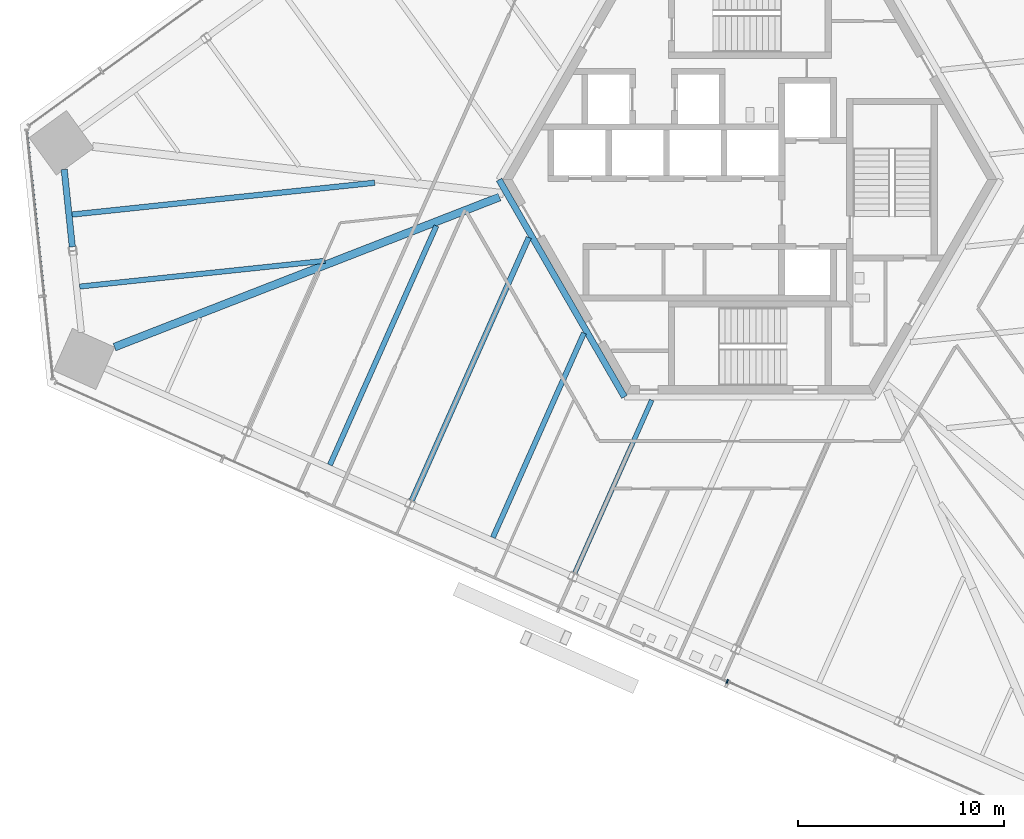
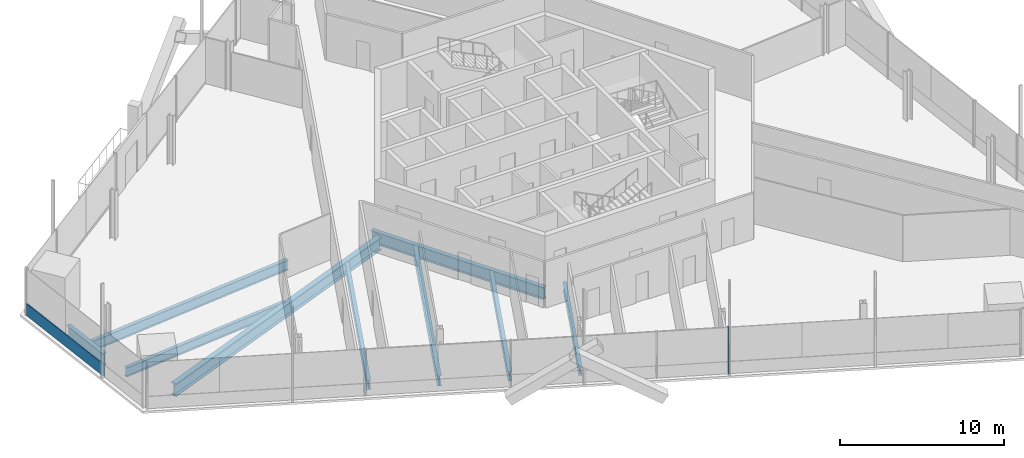
# One storey, part 4 of 21: 9 beams, 2 members, 2 elements without a shape of their own.
"""IFC4 building model written with IfcOpenShell, lengths in metres."""

from ifc_helpers import new_model, si_unit, direction, frame, origin, origin_2d, place, context, subcontext, project, spatial, rectangle, i_section, extrude, source, transform, mapped, material, material_profile, profile_set, type_object, element, aggregate, save


model = new_model("IFC4")

# Units and contexts
model_context = context("Model", 3, precision=1e-05, world=origin(), true_north=direction((0.0, 1.0)))
body_context = subcontext(model_context, "Body", "Model", "MODEL_VIEW")
ifc_project = project(units=[si_unit("LENGTHUNIT", "METRE"), si_unit("AREAUNIT", "SQUARE_METRE"), si_unit("VOLUMEUNIT", "CUBIC_METRE"), si_unit("PLANEANGLEUNIT", "RADIAN"), si_unit("MASSUNIT", "GRAM", prefix="KILO")], contexts=[model_context])

# Site, building, storey
site_placement = place(None, origin())
site = spatial("IfcSite", under=ifc_project, at=site_placement, CompositionType="ELEMENT")
building_placement = place(site_placement, origin())
building = spatial("IfcBuilding", under=site, at=building_placement, Name="Triune Harvest Tower", CompositionType="ELEMENT")
storey_placement = place(building_placement, frame((0.0, 0.0, 72.89990234375)))
storey = spatial("IfcBuildingStorey", under=building, at=storey_placement, Name="L17", CompositionType="ELEMENT", Elevation=72.89990234375)

# Beams
ifc_material_1 = material(Name="Steel ASTM A992 Gr 50", Category="steel")
ifc_material_profile_1 = material_profile(ifc_material_1, i_section(OverallWidth=0.3046875, OverallDepth=0.914306640625, WebThickness=0.0166015625, FlangeThickness=0.02587890625, at=origin_2d()), Name="W36x160")
ifc_profile_set_1 = profile_set([ifc_material_profile_1], Name="Steel ASTM A992 Gr 50")
beam_type_1 = type_object("IfcBeamType", Name="CG-1 Core ring girder W36x160", PredefinedType="BEAM", material=ifc_profile_set_1)
shared_shape_1 = source(origin(), body_context, "Body", "SweptSolid", [
    extrude(i_section(OverallWidth=0.3046875, OverallDepth=0.914306640625, WebThickness=0.0166015625, FlangeThickness=0.02587890625, at=origin_2d()), origin(), (0.0, 0.0, 1.0), 12.176025390625),
])
beam_1_placement = place(storey_placement, frame((-12.176025390625, 0.0, -0.6171875), z_axis=(0.5000099932, -0.866019634131, 0.0), x_axis=(0.866019634131, 0.5000099932, 0.0)))
element("IfcBeam", 1, at=beam_1_placement, inside=storey, type_object=beam_type_1, Name="beam/L17/CG4", PredefinedType="BEAM", context=body_context, shape_type="MappedRepresentation", body=[
    mapped(shared_shape_1, transform((0.0, 0.0, 0.0), scale=1.0)),
])
ifc_material_2 = material(Name="Steel ASTM A992 Gr 50", Category="steel")
ifc_material_profile_2 = material_profile(ifc_material_2, i_section(OverallWidth=0.3046875, OverallDepth=0.914306640625, WebThickness=0.0166015625, FlangeThickness=0.02587890625, at=origin_2d()), Name="W36x160")
ifc_profile_set_2 = profile_set([ifc_material_profile_2], Name="Steel ASTM A992 Gr 50")
beam_type_2 = type_object("IfcBeamType", Name="SB-1 Spandrel beam W36x160", PredefinedType="SPANDREL", material=ifc_profile_set_2)
shared_shape_2 = source(origin(), body_context, "Body", "SweptSolid", [
    extrude(i_section(OverallWidth=0.3046875, OverallDepth=0.914306640625, WebThickness=0.0166015625, FlangeThickness=0.02587890625, at=origin_2d()), origin(), (0.0, 0.0, 1.0), 3.775146484375),
])
beam_2_placement = place(storey_placement, frame((-33.28564453125, 0.497802734375, -0.6171875), z_axis=(0.104509725916, -0.994523864565, 0.0), x_axis=(0.994523864565, 0.104509725916, 0.0)))
element("IfcBeam", 2, at=beam_2_placement, inside=storey, type_object=beam_type_2, Name="beam/L17/SB15", PredefinedType="SPANDREL", context=body_context, shape_type="MappedRepresentation", body=[
    mapped(shared_shape_2, transform((0.0, 0.0, 0.0), scale=1.0)),
])
ifc_material_3 = material(Name="Steel ASTM A992 Gr 50", Category="steel")
ifc_material_profile_3 = material_profile(ifc_material_3, i_section(OverallWidth=0.383544921875, OverallDepth=0.9423828125, WebThickness=0.022216796875, FlangeThickness=0.039794921875, at=origin_2d()), Name="W36x232")
ifc_profile_set_3 = profile_set([ifc_material_profile_3], Name="Steel ASTM A992 Gr 50")
beam_type_3 = type_object("IfcBeamType", Name="HG-1 Hip girder W36x232", PredefinedType="BEAM", material=ifc_profile_set_3)
shared_shape_3 = source(origin(), body_context, "Body", "SweptSolid", [
    extrude(i_section(OverallWidth=0.383544921875, OverallDepth=0.9423828125, WebThickness=0.022216796875, FlangeThickness=0.039794921875, at=origin_2d()), origin(), (0.0, 0.0, 1.0), 20.054443359375),
])
beam_3_placement = place(storey_placement, frame((-30.84423828125, -8.12451171875, -0.631103515625), z_axis=(0.931737115777, 0.363133511374, 0.0), x_axis=(-0.363133511374, 0.931737115777, 0.0)))
element("IfcBeam", 3, at=beam_3_placement, inside=storey, type_object=beam_type_3, Name="beam/L17/HG6", PredefinedType="BEAM", context=body_context, shape_type="MappedRepresentation", body=[
    mapped(shared_shape_3, transform((0.0, 0.0, 0.0), scale=1.0)),
])
ifc_material_4 = material(Name="Steel ASTM A992 Gr 50", Category="steel")
ifc_material_profile_4 = material_profile(ifc_material_4, i_section(OverallWidth=0.253662109375, OverallDepth=0.683349609375, WebThickness=0.012451171875, FlangeThickness=0.01904296875, at=origin_2d()), Name="W27x94")
ifc_profile_set_4 = profile_set([ifc_material_profile_4], Name="Steel ASTM A992 Gr 50")
beam_type_4 = type_object("IfcBeamType", Name="JT-4 Floor joist W27x94", PredefinedType="JOIST", material=ifc_profile_set_4)
shared_shape_4 = source(origin(), body_context, "Body", "SweptSolid", [
    extrude(i_section(OverallWidth=0.253662109375, OverallDepth=0.683349609375, WebThickness=0.012451171875, FlangeThickness=0.01904296875, at=origin_2d()), origin(), (0.0, 0.0, 1.0), 10.864501953125),
])
beam_4_placement = place(storey_placement, frame((-12.473876953125, -17.3681640625, -0.50146484375), z_axis=(0.406757614722, 0.913536120176, 0.0), x_axis=(-0.913536120176, 0.406757614722, 0.0)))
element("IfcBeam", 4, at=beam_4_placement, inside=storey, type_object=beam_type_4, Name="beam/L17/JT31", PredefinedType="JOIST", context=body_context, shape_type="MappedRepresentation", body=[
    mapped(shared_shape_4, transform((0.0, 0.0, 0.0), scale=1.0)),
])
shared_shape_5 = source(origin(), body_context, "Body", "SweptSolid", [
    extrude(i_section(OverallWidth=0.253662109375, OverallDepth=0.683349609375, WebThickness=0.012451171875, FlangeThickness=0.01904296875, at=origin_2d()), origin(), (0.0, 0.0, 1.0), 12.701904296875),
])
beam_5_placement = place(storey_placement, frame((-20.38720703125, -13.844970703125, -0.50146484375), z_axis=(0.406748285801, 0.913540273879, 0.0), x_axis=(-0.913540273879, 0.406748285801, 0.0)))
element("IfcBeam", 5, at=beam_5_placement, inside=storey, type_object=beam_type_4, Name="beam/L17/JT29", PredefinedType="JOIST", context=body_context, shape_type="MappedRepresentation", body=[
    mapped(shared_shape_5, transform((0.0, 0.0, 0.0), scale=1.0)),
])
ifc_material_5 = material(Name="Steel ASTM A992 Gr 50", Category="steel")
ifc_material_profile_5 = material_profile(ifc_material_5, i_section(OverallWidth=0.2666015625, OverallDepth=0.7568359375, WebThickness=0.013916015625, FlangeThickness=0.019287109375, at=origin_2d()), Name="W30x108")
ifc_profile_set_5 = profile_set([ifc_material_profile_5], Name="Steel ASTM A992 Gr 50")
beam_type_5 = type_object("IfcBeamType", Name="JT-5 Floor joist W30x108", PredefinedType="JOIST", material=ifc_profile_set_5)
shared_shape_6 = source(origin(), body_context, "Body", "SweptSolid", [
    extrude(i_section(OverallWidth=0.2666015625, OverallDepth=0.7568359375, WebThickness=0.013916015625, FlangeThickness=0.019287109375, at=origin_2d()), origin(), (0.0, 0.0, 1.0), 14.7666015625),
])
beam_6_placement = place(storey_placement, frame((-32.90234375, -1.690673828125, -0.538330078125), z_axis=(0.994522471236, 0.10452298411, 0.0), x_axis=(-0.10452298411, 0.994522471236, 0.0)))
element("IfcBeam", 6, at=beam_6_placement, inside=storey, type_object=beam_type_5, Name="beam/L17/JT25", PredefinedType="JOIST", context=body_context, shape_type="MappedRepresentation", body=[
    mapped(shared_shape_6, transform((0.0, 0.0, 0.0), scale=1.0)),
])
shared_shape_7 = source(origin(), body_context, "Body", "SweptSolid", [
    extrude(i_section(OverallWidth=0.253662109375, OverallDepth=0.683349609375, WebThickness=0.012451171875, FlangeThickness=0.01904296875, at=origin_2d()), origin(), (0.0, 0.0, 1.0), 11.9775390625),
])
beam_7_placement = place(storey_placement, frame((-32.534912109375, -5.18701171875, -0.50146484375), z_axis=(0.994522193593, 0.104525625807, 0.0), x_axis=(-0.104525625807, 0.994522193593, 0.0)))
element("IfcBeam", 7, at=beam_7_placement, inside=storey, type_object=beam_type_4, Name="beam/L17/JT26", PredefinedType="JOIST", context=body_context, shape_type="MappedRepresentation", body=[
    mapped(shared_shape_7, transform((0.0, 0.0, 0.0), scale=1.0)),
])
shared_shape_8 = source(origin(), body_context, "Body", "SweptSolid", [
    extrude(i_section(OverallWidth=0.2666015625, OverallDepth=0.7568359375, WebThickness=0.013916015625, FlangeThickness=0.019287109375, at=origin_2d()), origin(), (0.0, 0.0, 1.0), 13.966796875),
])
beam_8_placement = place(storey_placement, frame((-16.412353515625, -15.56591796875, -0.538330078125), z_axis=(0.406743331023, 0.913542479948, 0.0), x_axis=(-0.913542479948, 0.406743331023, 0.0)))
element("IfcBeam", 8, at=beam_8_placement, inside=storey, type_object=beam_type_5, Name="beam/L17/JT30", PredefinedType="JOIST", context=body_context, shape_type="MappedRepresentation", body=[
    mapped(shared_shape_8, transform((0.0, 0.0, 0.0), scale=1.0)),
])
ifc_material_6 = material(Name="Steel ASTM A992 Gr 50", Category="steel")
ifc_material_profile_6 = material_profile(ifc_material_6, i_section(OverallWidth=0.22900390625, OverallDepth=0.612060546875, WebThickness=0.011962890625, FlangeThickness=0.01953125, at=origin_2d()), Name="W24x84")
ifc_profile_set_6 = profile_set([ifc_material_profile_6], Name="Steel ASTM A992 Gr 50")
beam_type_6 = type_object("IfcBeamType", Name="JT-3 Floor joist W24x84", PredefinedType="JOIST", material=ifc_profile_set_6)
shared_shape_9 = source(origin(), body_context, "Body", "SweptSolid", [
    extrude(i_section(OverallWidth=0.22900390625, OverallDepth=0.612060546875, WebThickness=0.011962890625, FlangeThickness=0.01953125, at=origin_2d()), origin(), (0.0, 0.0, 1.0), 9.1865234375),
])
beam_9_placement = place(storey_placement, frame((-8.4990234375, -19.08935546875, -0.466064453125), z_axis=(0.406720317643, 0.913552726019, 0.0), x_axis=(-0.913552726019, 0.406720317643, 0.0)))
element("IfcBeam", 9, at=beam_9_placement, inside=storey, type_object=beam_type_6, Name="beam/L17/JT32", PredefinedType="JOIST", context=body_context, shape_type="MappedRepresentation", body=[
    mapped(shared_shape_9, transform((0.0, 0.0, 0.0), scale=1.0)),
])

# Curtain wall, member
ifc_material_7 = material(Name="Aluminium bronze anodised", Category="aluminium")
curtain_wall_type_1 = type_object("IfcCurtainWallType", Name="CW-1 Tower stick curtain wall", PredefinedType="NOTDEFINED", material=ifc_material_7)
curtain_wall_1_placement = place(storey_placement, origin())
curtain_wall_1 = element("IfcCurtainWall", 10, at=curtain_wall_1_placement, inside=storey, type_object=curtain_wall_type_1, Name="CW-1 B2-F4 L17 run 1")
ifc_material_8 = material(Name="Aluminium bronze anodised", Category="aluminium")
ifc_material_profile_7 = material_profile(ifc_material_8, rectangle(XDim=0.090087890625, YDim=0.89990234375, at=origin_2d()), Name="TR-1 transom 90 x 900")
ifc_profile_set_7 = profile_set([ifc_material_profile_7], Name="Aluminium bronze anodised")
member_type_1 = type_object("IfcMemberType", Name="TR-1 transom 90 x 900", PredefinedType="USERDEFINED", material=ifc_profile_set_7)
shared_shape_10 = source(origin(), body_context, "Body", "SweptSolid", [
    extrude(rectangle(XDim=0.090087890625, YDim=0.89990234375, at=origin_2d()), origin(), (0.0, 0.0, 1.0), 8.0341796875),
])
member_1_placement = place(storey_placement, frame((-35.09765625, 2.37939453125, 0.4501953125), z_axis=(0.104532929154, -0.994521425975, 0.0), x_axis=(0.994521425975, 0.104532929154, 0.0)))
member_1 = element("IfcMember", 11, at=member_1_placement, type_object=member_type_1, Name="CW-1 transom B2-F4 1.1", ObjectType="TRANSOM", PredefinedType="USERDEFINED", context=body_context, shape_type="MappedRepresentation", body=[
    mapped(shared_shape_10, transform((0.0, 0.0, 0.0), scale=1.0)),
])
aggregate(curtain_wall_1, [member_1])

ifc_material_9 = material(Name="Aluminium bronze anodised", Category="aluminium")
curtain_wall_type_2 = type_object("IfcCurtainWallType", Name="CW-7 Tower stick curtain wall with insulated spandrel infill", PredefinedType="NOTDEFINED", material=ifc_material_9)
curtain_wall_2_placement = place(storey_placement, origin())
curtain_wall_2 = element("IfcCurtainWall", 12, at=curtain_wall_2_placement, inside=storey, type_object=curtain_wall_type_2, Name="CW-7 B2-F5 L17 run 1001")
ifc_material_10 = material(Name="Aluminium bronze anodised", Category="aluminium")
ifc_material_profile_8 = material_profile(ifc_material_10, rectangle(XDim=0.199951171875, YDim=0.074951171875, at=origin_2d()), Name="MU-1 mullion 75 x 200")
ifc_profile_set_8 = profile_set([ifc_material_profile_8], Name="Aluminium bronze anodised")
member_type_2 = type_object("IfcMemberType", Name="MU-1 mullion 75 x 200", PredefinedType="MULLION", material=ifc_profile_set_8)
shared_shape_11 = source(origin(), body_context, "Body", "SweptSolid", [
    extrude(rectangle(XDim=0.199951171875, YDim=0.074951171875, at=origin_2d()), origin(), (0.0, 0.0, 1.0), 3.440185546875),
])
member_2_placement = place(storey_placement, frame((-1.09814453125, -24.35693359375, 0.0), z_axis=(0.0, 0.0, 1.0), x_axis=(0.406734856715, 0.91354625298, 0.0)))
member_2 = element("IfcMember", 13, at=member_2_placement, type_object=member_type_2, Name="CW-7 mullion B2-F5 1001.6", PredefinedType="MULLION", context=body_context, shape_type="MappedRepresentation", body=[
    mapped(shared_shape_11, transform((0.0, 0.0, 0.0), scale=1.0)),
])
aggregate(curtain_wall_2, [member_2])

save(model, "model.ifc")
